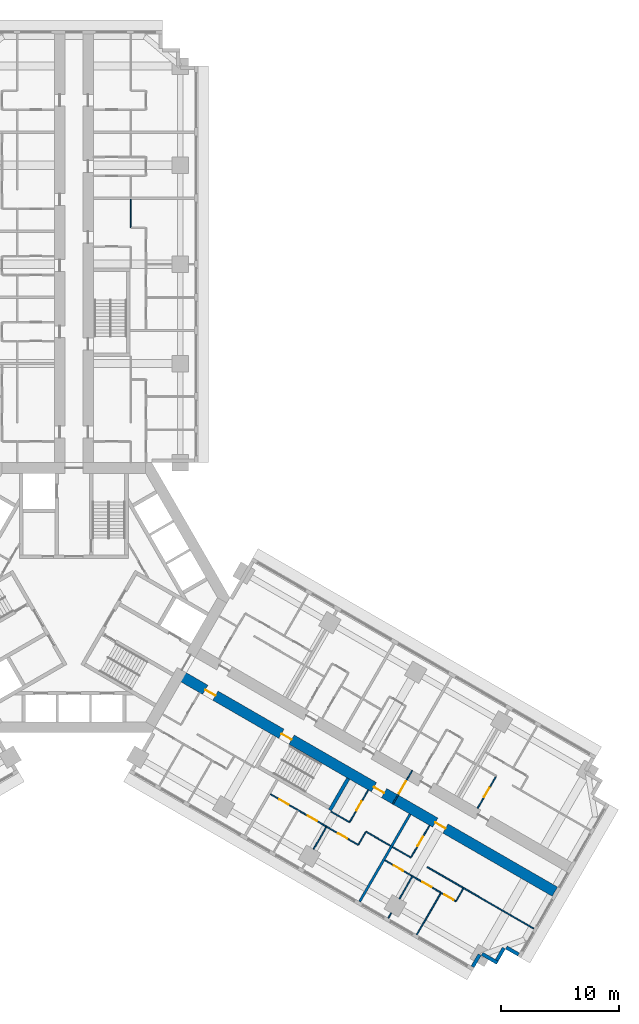
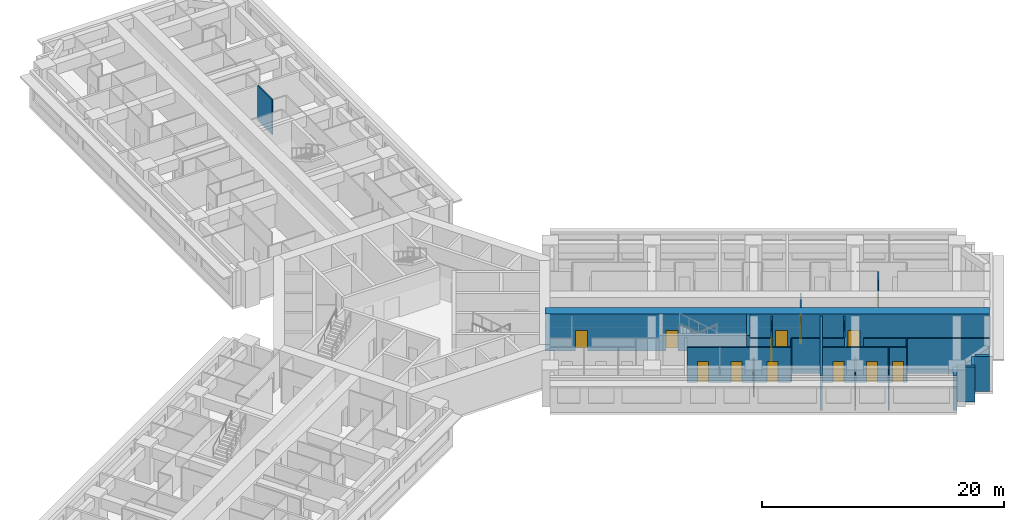
# One storey, part 11 of 16: 24 walls, 14 doors, 14 openings.
"""IFC4 building model written with IfcOpenShell, lengths in metres."""

from ifc_helpers import new_model, si_unit, direction, frame, frame_2d, origin, place, context, subcontext, project, spatial, rectangle, extrude, material, layer, layer_set, type_object, element, fill, save


model = new_model("IFC4")

# Units and contexts
model_context = context("Model", 3, precision=1e-05, world=origin(), true_north=direction((0.0, 1.0)))
body_context = subcontext(model_context, "Body", "Model", "MODEL_VIEW")
ifc_project = project(units=[si_unit("LENGTHUNIT", "METRE"), si_unit("AREAUNIT", "SQUARE_METRE"), si_unit("VOLUMEUNIT", "CUBIC_METRE"), si_unit("PLANEANGLEUNIT", "RADIAN"), si_unit("MASSUNIT", "GRAM", prefix="KILO")], contexts=[model_context])

# Site, building, storey
site_placement = place(None, origin())
site = spatial("IfcSite", under=ifc_project, at=site_placement, CompositionType="ELEMENT")
building_placement = place(site_placement, origin())
building = spatial("IfcBuilding", under=site, at=building_placement, Name="Impinga Residences", CompositionType="ELEMENT")
storey_placement = place(building_placement, frame((0.0, 0.0, 67.25)))
storey = spatial("IfcBuildingStorey", under=building, at=storey_placement, Name="L16", CompositionType="ELEMENT", Elevation=67.25)

# Wall, openings, doors
ifc_material_1 = material(Name="Concrete C70/85", Category="concrete")
ifc_layer_1 = layer(ifc_material_1, 0.89990234375)
ifc_layer_set_1 = layer_set([ifc_layer_1], Name="Concrete C70/85")
wall_type_1 = type_object("IfcWallType", Name="BW1 corridor buttress wall, L05 to L22 900", PredefinedType="SHEAR", material=ifc_layer_set_1)
wall_1_placement = place(storey_placement, frame((8.910400390625, -6.530029296875, 0.0), z_axis=(0.0, 0.0, 1.0), x_axis=(0.866025284237, -0.500000207062, 0.0)))
wall_1 = element("IfcWall", 1, at=wall_1_placement, inside=storey, type_object=wall_type_1, Name="Corridor wall BW1 ED L16", PredefinedType="SHEAR", context=body_context, shape_type="SweptSolid", body=[
    extrude(rectangle(XDim=36.75, YDim=0.89990234375, at=frame_2d((18.375, 0.0))), origin(), (0.0, 0.0, 1.0), 3.75),
])
opening_1_placement = place(wall_1_placement, frame((10.0, 0.0, 0.0)))
opening_1 = element("IfcOpeningElement", 2, at=opening_1_placement, cuts=wall_1, Name="Opening D5", PredefinedType="OPENING", context=body_context, shape_type="SweptSolid", body=[
    extrude(rectangle(XDim=1.0, YDim=2.10009765625, at=frame_2d((0.5, 1.050048828125))), frame((0.0, 0.4599609375, 0.0), z_axis=(0.0, -1.0, 0.0), x_axis=(1.0, 0.0, 0.0)), (0.0, 0.0, 1.0), 0.919921875),
])
opening_2_placement = place(wall_1_placement, frame((2.550048828125, 0.0, 0.0)))
opening_2 = element("IfcOpeningElement", 3, at=opening_2_placement, cuts=wall_1, Name="Opening D1", PredefinedType="OPENING", context=body_context, shape_type="SweptSolid", body=[
    extrude(rectangle(XDim=1.0, YDim=2.10009765625, at=frame_2d((0.5, 1.050048828125))), frame((0.0, 0.4599609375, 0.0), z_axis=(0.0, -1.0, 0.0), x_axis=(1.0, 0.0, 0.0)), (0.0, 0.0, 1.0), 0.919921875),
])
opening_3_placement = place(wall_1_placement, frame((19.050048828125, 0.0, 0.0)))
opening_3 = element("IfcOpeningElement", 4, at=opening_3_placement, cuts=wall_1, Name="Opening D1", PredefinedType="OPENING", context=body_context, shape_type="SweptSolid", body=[
    extrude(rectangle(XDim=1.0, YDim=2.10009765625, at=frame_2d((0.5, 1.050048828125))), frame((0.0, 0.4599609375, 0.0), z_axis=(0.0, -1.0, 0.0), x_axis=(1.0, 0.0, 0.0)), (0.0, 0.0, 1.0), 0.919921875),
])
opening_4_placement = place(wall_1_placement, frame((25.050048828125, 0.0, 0.0)))
opening_4 = element("IfcOpeningElement", 5, at=opening_4_placement, cuts=wall_1, Name="Opening D1", PredefinedType="OPENING", context=body_context, shape_type="SweptSolid", body=[
    extrude(rectangle(XDim=1.0, YDim=2.10009765625, at=frame_2d((0.5, 1.050048828125))), frame((0.0, 0.4599609375, 0.0), z_axis=(0.0, -1.0, 0.0), x_axis=(1.0, 0.0, 0.0)), (0.0, 0.0, 1.0), 0.919921875),
])
ifc_material_2 = material(Name="Timber door set", Category="wood")
door_type_1 = type_object("IfcDoorType", Name="D1 apartment entrance door 1000x2100", OperationType="SINGLE_SWING_LEFT", PredefinedType="DOOR", material=ifc_material_2)
door_1_placement = place(opening_2_placement, origin())
door_1 = element("IfcDoor", 6, at=door_1_placement, inside=storey, type_object=door_type_1, Name="Apartment L16-EF1 entrance", OperationType="SINGLE_SWING_LEFT", OverallHeight=2.10009765625, OverallWidth=1.0, PredefinedType="DOOR", context=body_context, shape_type="SweptSolid", body=[
    extrude(rectangle(XDim=1.0, YDim=2.10009765625, at=frame_2d((0.5, 1.050048828125))), frame((0.0, 0.02490234375, 0.0), z_axis=(0.0, -1.0, 0.0), x_axis=(1.0, 0.0, 0.0)), (0.0, 0.0, 1.0), 0.050048828125),
])
fill(opening_2, door_1)
door_2_placement = place(opening_3_placement, origin())
door_2 = element("IfcDoor", 7, at=door_2_placement, inside=storey, type_object=door_type_1, Name="Apartment L16-EF2 entrance", OperationType="SINGLE_SWING_RIGHT", OverallHeight=2.10009765625, OverallWidth=1.0, PredefinedType="DOOR", context=body_context, shape_type="SweptSolid", body=[
    extrude(rectangle(XDim=1.0, YDim=2.10009765625, at=frame_2d((0.5, 1.050048828125))), frame((0.0, 0.02490234375, 0.0), z_axis=(0.0, -1.0, 0.0), x_axis=(1.0, 0.0, 0.0)), (0.0, 0.0, 1.0), 0.050048828125),
])
fill(opening_3, door_2)
door_3_placement = place(opening_4_placement, origin())
door_3 = element("IfcDoor", 8, at=door_3_placement, inside=storey, type_object=door_type_1, Name="Apartment L16-EF3 entrance", OperationType="SINGLE_SWING_RIGHT", OverallHeight=2.10009765625, OverallWidth=1.0, PredefinedType="DOOR", context=body_context, shape_type="SweptSolid", body=[
    extrude(rectangle(XDim=1.0, YDim=2.10009765625, at=frame_2d((0.5, 1.050048828125))), frame((0.0, 0.02490234375, 0.0), z_axis=(0.0, -1.0, 0.0), x_axis=(1.0, 0.0, 0.0)), (0.0, 0.0, 1.0), 0.050048828125),
])
fill(opening_4, door_3)
door_type_2 = type_object("IfcDoorType", Name="D5 stair door 1000x2100", OperationType="SINGLE_SWING_LEFT", PredefinedType="DOOR", material=ifc_material_2)
door_4_placement = place(opening_1_placement, origin())
door_4 = element("IfcDoor", 9, at=door_4_placement, inside=storey, type_object=door_type_2, Name="Wing stair door E", OperationType="SINGLE_SWING_LEFT", OverallHeight=2.10009765625, OverallWidth=1.0, PredefinedType="DOOR", context=body_context, shape_type="SweptSolid", body=[
    extrude(rectangle(XDim=1.0, YDim=2.10009765625, at=frame_2d((0.5, 1.050048828125))), frame((0.0, 0.02490234375, 0.0), z_axis=(0.0, -1.0, 0.0), x_axis=(1.0, 0.0, 0.0)), (0.0, 0.0, 1.0), 0.050048828125),
])
fill(opening_1, door_4)

# Wall, opening, door
ifc_material_3 = material(Name="Concrete blockwork", Category="masonry")
ifc_layer_2 = layer(ifc_material_3, 0.10009765625)
ifc_layer_set_2 = layer_set([ifc_layer_2], Name="CP1 core room partition, blockwork 100")
wall_type_2 = type_object("IfcWallType", Name="CP1 core room partition, blockwork 100", PredefinedType="PARTITIONING", material=ifc_layer_set_2)
wall_2_placement = place(storey_placement, frame((28.652099609375, -14.636962890625, 0.0), z_axis=(0.0, 0.0, 1.0), x_axis=(-0.499974350878, -0.866040211805, 0.0)))
wall_2 = element("IfcWall", 10, at=wall_2_placement, inside=storey, type_object=wall_type_2, Name="Core room partition, blockwork L16:E:SCR", PredefinedType="PARTITIONING", context=body_context, shape_type="SweptSolid", body=[
    extrude(rectangle(XDim=3.300048828125, YDim=0.10009765625, at=frame_2d((1.64990234375, 0.0))), origin(), (0.0, 0.0, 1.0), 3.530029296875),
])
opening_5_placement = place(wall_2_placement, frame((1.050048828125, 0.0, 0.0)))
opening_5 = element("IfcOpeningElement", 11, at=opening_5_placement, cuts=wall_2, Name="Opening D3", PredefinedType="OPENING", context=body_context, shape_type="SweptSolid", body=[
    extrude(rectangle(XDim=1.199951171875, YDim=2.10009765625, at=frame_2d((0.60009765625, 1.050048828125))), frame((0.0, 0.06005859375, 0.0), z_axis=(0.0, -1.0, 0.0), x_axis=(1.0, 0.0, 0.0)), (0.0, 0.0, 1.0), 0.1201171875),
])
door_type_3 = type_object("IfcDoorType", Name="D3 room door, leaf and a half 1200x2100", OperationType="DOUBLE_SWING_LEFT", PredefinedType="DOOR", material=ifc_material_2)
door_5_placement = place(opening_5_placement, origin())
door_5 = element("IfcDoor", 12, at=door_5_placement, inside=storey, type_object=door_type_3, Name="Corridor smoke door E", OperationType="DOUBLE_SWING_LEFT", OverallHeight=2.10009765625, OverallWidth=1.199951171875, PredefinedType="DOOR", context=body_context, shape_type="SweptSolid", body=[
    extrude(rectangle(XDim=1.199951171875, YDim=2.10009765625, at=frame_2d((0.60009765625, 1.050048828125))), frame((0.0, 0.02490234375, 0.0), z_axis=(0.0, -1.0, 0.0), x_axis=(1.0, 0.0, 0.0)), (0.0, 0.0, 1.0), 0.050048828125),
])
fill(opening_5, door_5)

# Walls
ifc_material_4 = material(Name="Terracotta rainscreen on blockwork", Category="masonry")
ifc_layer_3 = layer(ifc_material_4, 0.300048828125)
ifc_layer_set_3 = layer_set([ifc_layer_3], Name="EW1 external wall, terracotta rainscreen on blockwork 300")
wall_type_3 = type_object("IfcWallType", Name="EW1 external wall, terracotta rainscreen on blockwork 300", PredefinedType="SOLIDWALL", material=ifc_layer_set_3)
wall_3_placement = place(storey_placement, frame((37.66162109375, -30.23095703125, 0.0), z_axis=(0.0, 0.0, 1.0), x_axis=(-0.866059708757, 0.499940577336, 0.0)))
element("IfcWall", 13, at=wall_3_placement, inside=storey, type_object=wall_type_3, Name="External wall EW1 L16", PredefinedType="SOLIDWALL", context=body_context, shape_type="SweptSolid", body=[
    extrude(rectangle(XDim=1.195068359375, YDim=0.300048828125, at=frame_2d((0.59765625, 0.0))), origin(), (0.0, 0.0, 1.0), 3.530029296875),
])
wall_4_placement = place(storey_placement, frame((36.41748046875, -29.68603515625, 0.0), z_axis=(0.0, 0.0, 1.0), x_axis=(-0.499969057507, -0.866043267704, 0.0)))
element("IfcWall", 14, at=wall_4_placement, inside=storey, type_object=wall_type_3, Name="External wall EW1 L16", PredefinedType="SOLIDWALL", context=body_context, shape_type="SweptSolid", body=[
    extrude(rectangle(XDim=1.19970703125, YDim=0.300048828125, at=frame_2d((0.599853515625, 0.0))), origin(), (0.0, 0.0, 1.0), 3.530029296875),
])
wall_5_placement = place(storey_placement, frame((35.87255859375, -30.93017578125, 0.0), z_axis=(0.0, 0.0, 1.0), x_axis=(-0.866031096941, 0.499990139034, 0.0)))
element("IfcWall", 15, at=wall_5_placement, inside=storey, type_object=wall_type_3, Name="External wall EW1 L16", PredefinedType="SOLIDWALL", context=body_context, shape_type="SweptSolid", body=[
    extrude(rectangle(XDim=1.5, YDim=0.300048828125, at=frame_2d((0.75, 0.0))), origin(), (0.0, 0.0, 1.0), 3.530029296875),
])
wall_6_placement = place(storey_placement, frame((34.365966796875, -30.2392578125, 0.0), z_axis=(0.0, 0.0, 1.0), x_axis=(-0.499940577336, -0.866059708757, 0.0)))
element("IfcWall", 16, at=wall_6_placement, inside=storey, type_object=wall_type_3, Name="External wall EW1 L16", PredefinedType="SOLIDWALL", context=body_context, shape_type="SweptSolid", body=[
    extrude(rectangle(XDim=1.195068359375, YDim=0.300048828125, at=frame_2d((0.59765625, 0.0))), origin(), (0.0, 0.0, 1.0), 3.530029296875),
])
ifc_material_5 = material(Name="Gypsum board on steel studs", Category="steel")
ifc_layer_4 = layer(ifc_material_5, 0.10009765625)
ifc_layer_set_4 = layer_set([ifc_layer_4], Name="Gypsum board on steel studs")
wall_type_4 = type_object("IfcWallType", Name="IP1 partition 100", PredefinedType="PARTITIONING", material=ifc_layer_set_4)
wall_7_placement = place(storey_placement, frame((4.800048828125, 31.33154296875, 0.0), z_axis=(0.0, 0.0, 1.0), x_axis=(0.0, 1.0, 0.0)))
element("IfcWall", 17, at=wall_7_placement, inside=storey, type_object=wall_type_4, Name="Partition L16-NF2:DIV1", PredefinedType="PARTITIONING", context=body_context, shape_type="SweptSolid", body=[
    extrude(rectangle(XDim=2.39990234375, YDim=0.10009765625, at=frame_2d((1.199951171875, 0.0))), origin(), (0.0, 0.0, 1.0), 3.530029296875),
])

# Wall, opening, door
wall_8_placement = place(storey_placement, frame((34.1943359375, -17.8369140625, 0.0), z_axis=(0.0, 0.0, 1.0), x_axis=(0.49999285859, 0.86602952684, 0.0)))
wall_8 = element("IfcWall", 18, at=wall_8_placement, inside=storey, type_object=wall_type_4, Name="Partition L16-EA5:IB1", PredefinedType="PARTITIONING", context=body_context, shape_type="SweptSolid", body=[
    extrude(rectangle(XDim=3.10009765625, YDim=0.10009765625, at=frame_2d((1.550048828125, 0.0))), origin(), (0.0, 0.0, 1.0), 3.530029296875),
])
opening_6_placement = place(wall_8_placement, frame((1.10009765625, 0.0, 0.0)))
opening_6 = element("IfcOpeningElement", 19, at=opening_6_placement, cuts=wall_8, Name="Opening D2", PredefinedType="OPENING", context=body_context, shape_type="SweptSolid", body=[
    extrude(rectangle(XDim=0.89990234375, YDim=2.10009765625, at=frame_2d((0.449951171875, 1.050048828125))), frame((0.0, 0.06005859375, 0.0), z_axis=(0.0, -1.0, 0.0), x_axis=(1.0, 0.0, 0.0)), (0.0, 0.0, 1.0), 0.1201171875),
])
door_type_4 = type_object("IfcDoorType", Name="D2 internal door 900x2100", OperationType="SINGLE_SWING_LEFT", PredefinedType="DOOR", material=ifc_material_2)
door_6_placement = place(opening_6_placement, origin())
door_6 = element("IfcDoor", 20, at=door_6_placement, inside=storey, type_object=door_type_4, Name="Apartment L16-EA5 bathroom door", OperationType="SINGLE_SWING_LEFT", OverallHeight=2.10009765625, OverallWidth=0.89990234375, PredefinedType="DOOR", context=body_context, shape_type="SweptSolid", body=[
    extrude(rectangle(XDim=0.89990234375, YDim=2.10009765625, at=frame_2d((0.449951171875, 1.050048828125))), frame((0.0, 0.02490234375, 0.0), z_axis=(0.0, -1.0, 0.0), x_axis=(1.0, 0.0, 0.0)), (0.0, 0.0, 1.0), 0.050048828125),
])
fill(opening_6, door_6)

# Walls
wall_9_placement = place(storey_placement, frame((21.789306640625, -18.122802734375, 0.0), z_axis=(0.0, 0.0, 1.0), x_axis=(0.866047807691, -0.499961193289, 0.0)))
element("IfcWall", 21, at=wall_9_placement, inside=storey, type_object=wall_type_4, Name="Partition L16-EF2:DIV0", PredefinedType="PARTITIONING", context=body_context, shape_type="SweptSolid", body=[
    extrude(rectangle(XDim=1.800048828125, YDim=0.10009765625, at=frame_2d((0.89990234375, 0.0))), origin(), (0.0, 0.0, 1.0), 3.530029296875),
])
wall_10_placement = place(storey_placement, frame((24.73388671875, -19.82275390625, 0.0), z_axis=(0.0, 0.0, 1.0), x_axis=(0.866024647952, -0.500001309137, 0.0)))
element("IfcWall", 22, at=wall_10_placement, inside=storey, type_object=wall_type_4, Name="Partition L16-EF2:DIV1", PredefinedType="PARTITIONING", context=body_context, shape_type="SweptSolid", body=[
    extrude(rectangle(XDim=2.39990234375, YDim=0.10009765625, at=frame_2d((1.199951171875, 0.0))), origin(), (0.0, 0.0, 1.0), 3.530029296875),
])

# Wall, openings, doors
wall_11_placement = place(storey_placement, frame((16.635986328125, -16.6484375, 0.0), z_axis=(0.0, 0.0, 1.0), x_axis=(0.866028165386, -0.499995216735, 0.0)))
wall_11 = element("IfcWall", 23, at=wall_11_placement, inside=storey, type_object=wall_type_4, Name="Partition L16-EF2:STRIP", PredefinedType="PARTITIONING", context=body_context, shape_type="SweptSolid", body=[
    extrude(rectangle(XDim=8.60009765625, YDim=0.10009765625, at=frame_2d((4.300048828125, 0.0))), origin(), (0.0, 0.0, 1.0), 3.530029296875),
])
opening_7_placement = place(wall_11_placement, frame((0.875, 0.0, 0.0)))
opening_7 = element("IfcOpeningElement", 24, at=opening_7_placement, cuts=wall_11, Name="Opening D2", PredefinedType="OPENING", context=body_context, shape_type="SweptSolid", body=[
    extrude(rectangle(XDim=0.89990234375, YDim=2.10009765625, at=frame_2d((0.449951171875, 1.050048828125))), frame((0.0, 0.06005859375, 0.0), z_axis=(0.0, -1.0, 0.0), x_axis=(1.0, 0.0, 0.0)), (0.0, 0.0, 1.0), 0.1201171875),
])
opening_8_placement = place(wall_11_placement, frame((3.64990234375, 0.0, 0.0)))
opening_8 = element("IfcOpeningElement", 25, at=opening_8_placement, cuts=wall_11, Name="Opening D2", PredefinedType="OPENING", context=body_context, shape_type="SweptSolid", body=[
    extrude(rectangle(XDim=0.89990234375, YDim=2.10009765625, at=frame_2d((0.449951171875, 1.050048828125))), frame((0.0, 0.06005859375, 0.0), z_axis=(0.0, -1.0, 0.0), x_axis=(1.0, 0.0, 0.0)), (0.0, 0.0, 1.0), 0.1201171875),
])
opening_9_placement = place(wall_11_placement, frame((6.625, 0.0, 0.0)))
opening_9 = element("IfcOpeningElement", 26, at=opening_9_placement, cuts=wall_11, Name="Opening D2", PredefinedType="OPENING", context=body_context, shape_type="SweptSolid", body=[
    extrude(rectangle(XDim=0.89990234375, YDim=2.10009765625, at=frame_2d((0.449951171875, 1.050048828125))), frame((0.0, 0.06005859375, 0.0), z_axis=(0.0, -1.0, 0.0), x_axis=(1.0, 0.0, 0.0)), (0.0, 0.0, 1.0), 0.1201171875),
])
door_7_placement = place(opening_7_placement, origin())
door_7 = element("IfcDoor", 27, at=door_7_placement, inside=storey, type_object=door_type_4, Name="Apartment L16-EF2 room door", OperationType="SINGLE_SWING_LEFT", OverallHeight=2.10009765625, OverallWidth=0.89990234375, PredefinedType="DOOR", context=body_context, shape_type="SweptSolid", body=[
    extrude(rectangle(XDim=0.89990234375, YDim=2.10009765625, at=frame_2d((0.449951171875, 1.050048828125))), frame((0.0, 0.02490234375, 0.0), z_axis=(0.0, -1.0, 0.0), x_axis=(1.0, 0.0, 0.0)), (0.0, 0.0, 1.0), 0.050048828125),
])
fill(opening_7, door_7)
door_8_placement = place(opening_8_placement, origin())
door_8 = element("IfcDoor", 28, at=door_8_placement, inside=storey, type_object=door_type_4, Name="Apartment L16-EF2 room door", OperationType="SINGLE_SWING_LEFT", OverallHeight=2.10009765625, OverallWidth=0.89990234375, PredefinedType="DOOR", context=body_context, shape_type="SweptSolid", body=[
    extrude(rectangle(XDim=0.89990234375, YDim=2.10009765625, at=frame_2d((0.449951171875, 1.050048828125))), frame((0.0, 0.02490234375, 0.0), z_axis=(0.0, -1.0, 0.0), x_axis=(1.0, 0.0, 0.0)), (0.0, 0.0, 1.0), 0.050048828125),
])
fill(opening_8, door_8)
door_9_placement = place(opening_9_placement, origin())
door_9 = element("IfcDoor", 29, at=door_9_placement, inside=storey, type_object=door_type_4, Name="Apartment L16-EF2 room door", OperationType="SINGLE_SWING_RIGHT", OverallHeight=2.10009765625, OverallWidth=0.89990234375, PredefinedType="DOOR", context=body_context, shape_type="SweptSolid", body=[
    extrude(rectangle(XDim=0.89990234375, YDim=2.10009765625, at=frame_2d((0.449951171875, 1.050048828125))), frame((0.0, 0.02490234375, 0.0), z_axis=(0.0, -1.0, 0.0), x_axis=(1.0, 0.0, 0.0)), (0.0, 0.0, 1.0), 0.050048828125),
])
fill(opening_9, door_9)

# Wall
wall_12_placement = place(storey_placement, frame((24.708984375, -19.865966796875, 0.0), z_axis=(0.0, 0.0, 1.0), x_axis=(-0.500033551112, -0.866006032174, 0.0)))
element("IfcWall", 30, at=wall_12_placement, inside=storey, type_object=wall_type_4, Name="Partition L16-EF2:SE1", PredefinedType="PARTITIONING", context=body_context, shape_type="SweptSolid", body=[
    extrude(rectangle(XDim=1.2001953125, YDim=0.10009765625, at=frame_2d((0.60009765625, 0.0))), origin(), (0.0, 0.0, 1.0), 3.530029296875),
])

# Wall, opening, door
wall_13_placement = place(storey_placement, frame((24.92333984375, -16.294677734375, 0.0), z_axis=(0.0, 0.0, 1.0), x_axis=(-0.49999285859, -0.86602952684, 0.0)))
wall_13 = element("IfcWall", 31, at=wall_13_placement, inside=storey, type_object=wall_type_4, Name="Partition L16-EF2:IB1", PredefinedType="PARTITIONING", context=body_context, shape_type="SweptSolid", body=[
    extrude(rectangle(XDim=3.10009765625, YDim=0.10009765625, at=frame_2d((1.550048828125, 0.0))), origin(), (0.0, 0.0, 1.0), 3.530029296875),
])
opening_10_placement = place(wall_13_placement, frame((1.10009765625, 0.0, 0.0)))
opening_10 = element("IfcOpeningElement", 32, at=opening_10_placement, cuts=wall_13, Name="Opening D2", PredefinedType="OPENING", context=body_context, shape_type="SweptSolid", body=[
    extrude(rectangle(XDim=0.89990234375, YDim=2.10009765625, at=frame_2d((0.449951171875, 1.050048828125))), frame((0.0, 0.06005859375, 0.0), z_axis=(0.0, -1.0, 0.0), x_axis=(1.0, 0.0, 0.0)), (0.0, 0.0, 1.0), 0.1201171875),
])
door_10_placement = place(opening_10_placement, origin())
door_10 = element("IfcDoor", 33, at=door_10_placement, inside=storey, type_object=door_type_4, Name="Apartment L16-EF2 bathroom door", OperationType="SINGLE_SWING_LEFT", OverallHeight=2.10009765625, OverallWidth=0.89990234375, PredefinedType="DOOR", context=body_context, shape_type="SweptSolid", body=[
    extrude(rectangle(XDim=0.89990234375, YDim=2.10009765625, at=frame_2d((0.449951171875, 1.050048828125))), frame((0.0, 0.02490234375, 0.0), z_axis=(0.0, -1.0, 0.0), x_axis=(1.0, 0.0, 0.0)), (0.0, 0.0, 1.0), 0.050048828125),
])
fill(opening_10, door_10)

# Walls
wall_14_placement = place(storey_placement, frame((21.374267578125, -19.44189453125, 0.0), z_axis=(0.0, 0.0, 1.0), x_axis=(-0.500010803666, -0.866019166195, 0.0)))
element("IfcWall", 34, at=wall_14_placement, inside=storey, type_object=wall_type_4, Name="Partition L16-EF2:OB2", PredefinedType="PARTITIONING", context=body_context, shape_type="SweptSolid", body=[
    extrude(rectangle(XDim=2.14990234375, YDim=0.10009765625, at=frame_2d((1.074951171875, 0.0))), origin(), (0.0, 0.0, 1.0), 2.47998046875),
])
wall_15_placement = place(storey_placement, frame((26.985595703125, -21.122802734375, 0.0), z_axis=(0.0, 0.0, 1.0), x_axis=(0.866047807691, -0.499961193289, 0.0)))
element("IfcWall", 35, at=wall_15_placement, inside=storey, type_object=wall_type_4, Name="Partition L16-EF3:DIV0", PredefinedType="PARTITIONING", context=body_context, shape_type="SweptSolid", body=[
    extrude(rectangle(XDim=1.800048828125, YDim=0.10009765625, at=frame_2d((0.89990234375, 0.0))), origin(), (0.0, 0.0, 1.0), 3.530029296875),
])
wall_16_placement = place(storey_placement, frame((29.93017578125, -22.82275390625, 0.0), z_axis=(0.0, 0.0, 1.0), x_axis=(0.866025696342, -0.499999493275, 0.0)))
element("IfcWall", 36, at=wall_16_placement, inside=storey, type_object=wall_type_4, Name="Partition L16-EF3:DIV1", PredefinedType="PARTITIONING", context=body_context, shape_type="SweptSolid", body=[
    extrude(rectangle(XDim=10.39990234375, YDim=0.10009765625, at=frame_2d((5.199951171875, 0.0))), origin(), (0.0, 0.0, 1.0), 3.530029296875),
])

# Wall, openings, doors
wall_17_placement = place(storey_placement, frame((26.335693359375, -22.24853515625, 0.0), z_axis=(0.0, 0.0, 1.0), x_axis=(0.866016523273, -0.500015381182, 0.0)))
wall_17 = element("IfcWall", 37, at=wall_17_placement, inside=storey, type_object=wall_type_4, Name="Partition L16-EF3:STRIP", PredefinedType="PARTITIONING", context=body_context, shape_type="SweptSolid", body=[
    extrude(rectangle(XDim=6.949951171875, YDim=0.10009765625, at=frame_2d((3.47509765625, 0.0))), origin(), (0.0, 0.0, 1.0), 3.530029296875),
])
opening_11_placement = place(wall_17_placement, frame((0.875, 0.0, 0.0)))
opening_11 = element("IfcOpeningElement", 38, at=opening_11_placement, cuts=wall_17, Name="Opening D2", PredefinedType="OPENING", context=body_context, shape_type="SweptSolid", body=[
    extrude(rectangle(XDim=0.89990234375, YDim=2.10009765625, at=frame_2d((0.449951171875, 1.050048828125))), frame((0.0, 0.06005859375, 0.0), z_axis=(0.0, -1.0, 0.0), x_axis=(1.0, 0.0, 0.0)), (0.0, 0.0, 1.0), 0.1201171875),
])
opening_12_placement = place(wall_17_placement, frame((3.64990234375, 0.0, 0.0)))
opening_12 = element("IfcOpeningElement", 39, at=opening_12_placement, cuts=wall_17, Name="Opening D2", PredefinedType="OPENING", context=body_context, shape_type="SweptSolid", body=[
    extrude(rectangle(XDim=0.89990234375, YDim=2.10009765625, at=frame_2d((0.449951171875, 1.050048828125))), frame((0.0, 0.06005859375, 0.0), z_axis=(0.0, -1.0, 0.0), x_axis=(1.0, 0.0, 0.0)), (0.0, 0.0, 1.0), 0.1201171875),
])
opening_13_placement = place(wall_17_placement, frame((5.800048828125, 0.0, 0.0)))
opening_13 = element("IfcOpeningElement", 40, at=opening_13_placement, cuts=wall_17, Name="Opening D2", PredefinedType="OPENING", context=body_context, shape_type="SweptSolid", body=[
    extrude(rectangle(XDim=0.89990234375, YDim=2.10009765625, at=frame_2d((0.449951171875, 1.050048828125))), frame((0.0, 0.06005859375, 0.0), z_axis=(0.0, -1.0, 0.0), x_axis=(1.0, 0.0, 0.0)), (0.0, 0.0, 1.0), 0.1201171875),
])
door_11_placement = place(opening_11_placement, origin())
door_11 = element("IfcDoor", 41, at=door_11_placement, inside=storey, type_object=door_type_4, Name="Apartment L16-EF3 room door", OperationType="SINGLE_SWING_LEFT", OverallHeight=2.10009765625, OverallWidth=0.89990234375, PredefinedType="DOOR", context=body_context, shape_type="SweptSolid", body=[
    extrude(rectangle(XDim=0.89990234375, YDim=2.10009765625, at=frame_2d((0.449951171875, 1.050048828125))), frame((0.0, 0.02490234375, 0.0), z_axis=(0.0, -1.0, 0.0), x_axis=(1.0, 0.0, 0.0)), (0.0, 0.0, 1.0), 0.050048828125),
])
fill(opening_11, door_11)
door_12_placement = place(opening_12_placement, origin())
door_12 = element("IfcDoor", 42, at=door_12_placement, inside=storey, type_object=door_type_4, Name="Apartment L16-EF3 room door", OperationType="SINGLE_SWING_RIGHT", OverallHeight=2.10009765625, OverallWidth=0.89990234375, PredefinedType="DOOR", context=body_context, shape_type="SweptSolid", body=[
    extrude(rectangle(XDim=0.89990234375, YDim=2.10009765625, at=frame_2d((0.449951171875, 1.050048828125))), frame((0.0, 0.02490234375, 0.0), z_axis=(0.0, -1.0, 0.0), x_axis=(1.0, 0.0, 0.0)), (0.0, 0.0, 1.0), 0.050048828125),
])
fill(opening_12, door_12)
door_13_placement = place(opening_13_placement, origin())
door_13 = element("IfcDoor", 43, at=door_13_placement, inside=storey, type_object=door_type_4, Name="Apartment L16-EF3 room door", OperationType="SINGLE_SWING_RIGHT", OverallHeight=2.10009765625, OverallWidth=0.89990234375, PredefinedType="DOOR", context=body_context, shape_type="SweptSolid", body=[
    extrude(rectangle(XDim=0.89990234375, YDim=2.10009765625, at=frame_2d((0.449951171875, 1.050048828125))), frame((0.0, 0.02490234375, 0.0), z_axis=(0.0, -1.0, 0.0), x_axis=(1.0, 0.0, 0.0)), (0.0, 0.0, 1.0), 0.050048828125),
])
fill(opening_13, door_13)

# Wall
wall_18_placement = place(storey_placement, frame((32.9794921875, -24.640869140625, 0.0), z_axis=(0.0, 0.0, 1.0), x_axis=(-0.500033551112, -0.866006032174, 0.0)))
element("IfcWall", 44, at=wall_18_placement, inside=storey, type_object=wall_type_4, Name="Partition L16-EF3:SE1", PredefinedType="PARTITIONING", context=body_context, shape_type="SweptSolid", body=[
    extrude(rectangle(XDim=1.2001953125, YDim=0.10009765625, at=frame_2d((0.60009765625, 0.0))), origin(), (0.0, 0.0, 1.0), 3.530029296875),
])

# Wall, opening, door
wall_19_placement = place(storey_placement, frame((30.119384765625, -19.294677734375, 0.0), z_axis=(0.0, 0.0, 1.0), x_axis=(-0.49999285859, -0.86602952684, 0.0)))
wall_19 = element("IfcWall", 45, at=wall_19_placement, inside=storey, type_object=wall_type_4, Name="Partition L16-EF3:IB1", PredefinedType="PARTITIONING", context=body_context, shape_type="SweptSolid", body=[
    extrude(rectangle(XDim=3.10009765625, YDim=0.10009765625, at=frame_2d((1.550048828125, 0.0))), origin(), (0.0, 0.0, 1.0), 3.530029296875),
])
opening_14_placement = place(wall_19_placement, frame((1.10009765625, 0.0, 0.0)))
opening_14 = element("IfcOpeningElement", 46, at=opening_14_placement, cuts=wall_19, Name="Opening D2", PredefinedType="OPENING", context=body_context, shape_type="SweptSolid", body=[
    extrude(rectangle(XDim=0.89990234375, YDim=2.10009765625, at=frame_2d((0.449951171875, 1.050048828125))), frame((0.0, 0.06005859375, 0.0), z_axis=(0.0, -1.0, 0.0), x_axis=(1.0, 0.0, 0.0)), (0.0, 0.0, 1.0), 0.1201171875),
])
door_14_placement = place(opening_14_placement, origin())
door_14 = element("IfcDoor", 47, at=door_14_placement, inside=storey, type_object=door_type_4, Name="Apartment L16-EF3 bathroom door", OperationType="SINGLE_SWING_LEFT", OverallHeight=2.10009765625, OverallWidth=0.89990234375, PredefinedType="DOOR", context=body_context, shape_type="SweptSolid", body=[
    extrude(rectangle(XDim=0.89990234375, YDim=2.10009765625, at=frame_2d((0.449951171875, 1.050048828125))), frame((0.0, 0.02490234375, 0.0), z_axis=(0.0, -1.0, 0.0), x_axis=(1.0, 0.0, 0.0)), (0.0, 0.0, 1.0), 0.050048828125),
])
fill(opening_14, door_14)

# Walls
wall_20_placement = place(storey_placement, frame((28.64892578125, -23.641845703125, 0.0), z_axis=(0.0, 0.0, 1.0), x_axis=(-0.500095966228, -0.865969990567, 0.0)))
element("IfcWall", 48, at=wall_20_placement, inside=storey, type_object=wall_type_4, Name="Partition L16-EF3:OB1", PredefinedType="PARTITIONING", context=body_context, shape_type="SweptSolid", body=[
    extrude(rectangle(XDim=2.14990234375, YDim=0.10009765625, at=frame_2d((1.074951171875, 0.0))), origin(), (0.0, 0.0, 1.0), 2.47998046875),
])
wall_21_placement = place(storey_placement, frame((26.873779296875, -26.71630859375, 0.0), z_axis=(0.0, 0.0, 1.0), x_axis=(-0.500131122175, -0.865949687125, 0.0)))
element("IfcWall", 49, at=wall_21_placement, inside=storey, type_object=wall_type_4, Name="Partition L16-EF3:OB1b", PredefinedType="PARTITIONING", context=body_context, shape_type="SweptSolid", body=[
    extrude(rectangle(XDim=0.499755859375, YDim=0.10009765625, at=frame_2d((0.25, 0.0))), origin(), (0.0, 0.0, 1.0), 3.530029296875),
])
wall_22_placement = place(storey_placement, frame((31.07373046875, -25.041748046875, 0.0), z_axis=(0.0, 0.0, 1.0), x_axis=(-0.499964223975, -0.866046058097, 0.0)))
element("IfcWall", 50, at=wall_22_placement, inside=storey, type_object=wall_type_4, Name="Partition L16-EF3:OB2", PredefinedType="PARTITIONING", context=body_context, shape_type="SweptSolid", body=[
    extrude(rectangle(XDim=4.050048828125, YDim=0.10009765625, at=frame_2d((2.02490234375, 0.0))), origin(), (0.0, 0.0, 1.0), 3.530029296875),
])
ifc_layer_5 = layer(ifc_material_3, 0.199951171875)
ifc_layer_set_5 = layer_set([ifc_layer_5], Name="PW1 party wall between apartments 200")
wall_type_5 = type_object("IfcWallType", Name="PW1 party wall between apartments 200", PredefinedType="SOLIDWALL", material=ifc_layer_set_5)
wall_23_placement = place(storey_placement, frame((28.473876953125, -18.3447265625, 0.0), z_axis=(0.0, 0.0, 1.0), x_axis=(-0.499990227581, -0.86603104582, 0.0)))
element("IfcWall", 51, at=wall_23_placement, inside=storey, type_object=wall_type_5, Name="Party wall between apartments L16-EF2:PARTY", PredefinedType="SOLIDWALL", context=body_context, shape_type="SweptSolid", body=[
    extrude(rectangle(XDim=8.550048828125, YDim=0.199951171875, at=frame_2d((4.27490234375, 0.0))), origin(), (0.0, 0.0, 1.0), 3.530029296875),
])
ifc_material_6 = material(Name="Concrete C60/75", Category="concrete")
ifc_layer_6 = layer(ifc_material_6, 0.300048828125)
ifc_layer_set_6 = layer_set([ifc_layer_6], Name="Concrete C60/75")
wall_type_6 = type_object("IfcWallType", Name="SE1 wing stair enclosure wall 300", PredefinedType="SOLIDWALL", material=ifc_layer_set_6)
wall_24_placement = place(storey_placement, frame((23.234619140625, -15.31982421875, 0.0), z_axis=(0.0, 0.0, 1.0), x_axis=(-0.500026960575, -0.86600983753, 0.0)))
element("IfcWall", 52, at=wall_24_placement, inside=storey, type_object=wall_type_6, Name="Stair enclosure wall SE1 E END1 L16", PredefinedType="SOLIDWALL", context=body_context, shape_type="SweptSolid", body=[
    extrude(rectangle(XDim=3.099853515625, YDim=0.300048828125, at=frame_2d((1.5498046875, 0.0))), origin(), (0.0, 0.0, 1.0), 3.75),
])

save(model, "model.ifc")
